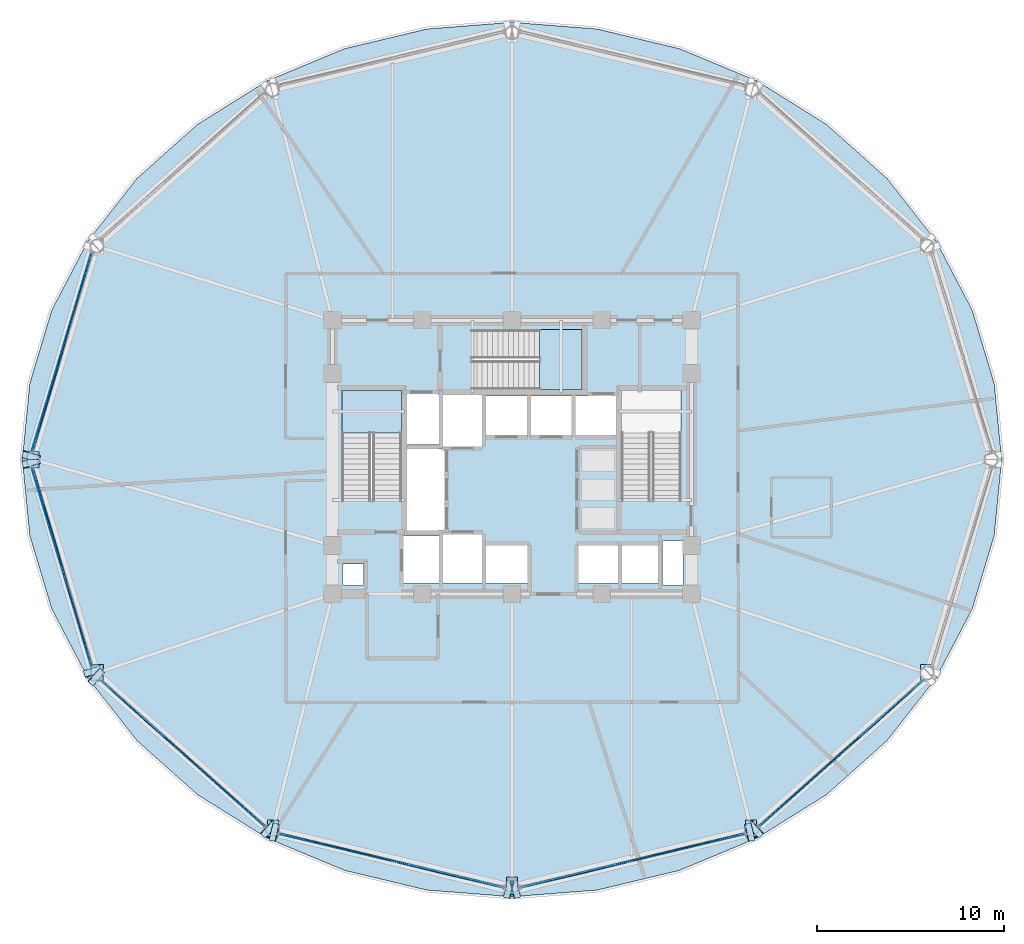
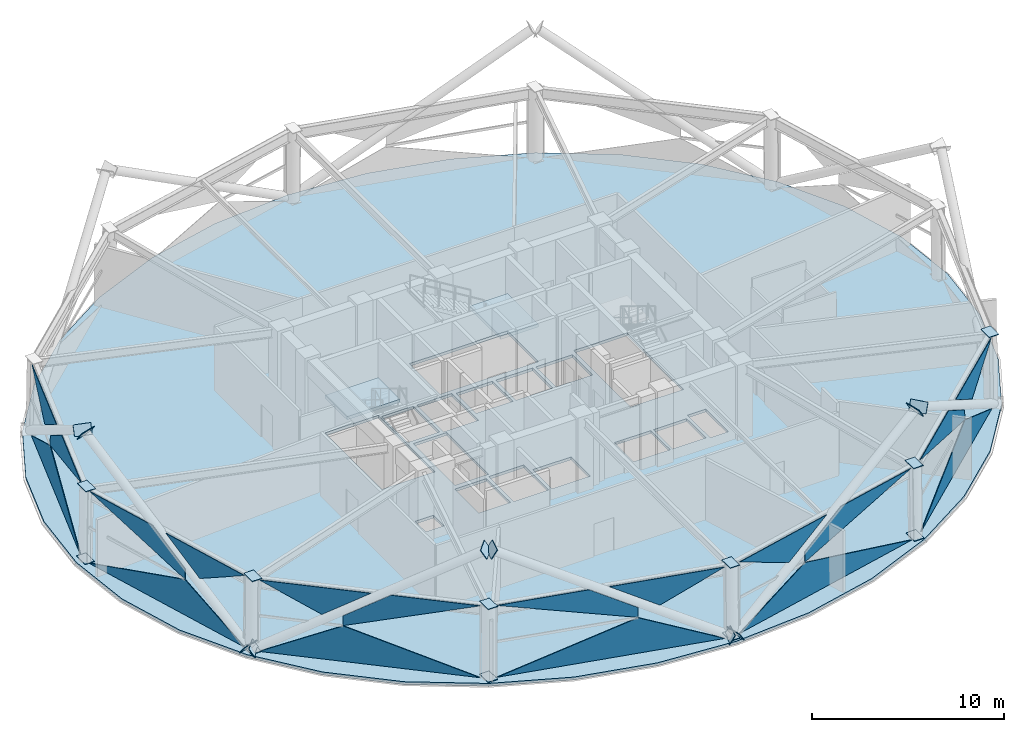
# One storey, part 8 of 17: 39 plates, 3 slabs, 8 elements without a shape of their own.
"""IFC4 building model written with IfcOpenShell, lengths in metres."""

from ifc_helpers import new_model, si_unit, direction, frame, origin, place, context, subcontext, project, spatial, polyline, outline, extrude, material, layer, layer_set, type_object, element, aggregate, save


model = new_model("IFC4")

# Units and contexts
model_context = context("Model", 3, precision=1e-05, world=origin(), true_north=direction((0.0, 1.0)))
body_context = subcontext(model_context, "Body", "Model", "MODEL_VIEW")
ifc_project = project(units=[si_unit("LENGTHUNIT", "METRE"), si_unit("AREAUNIT", "SQUARE_METRE"), si_unit("VOLUMEUNIT", "CUBIC_METRE"), si_unit("PLANEANGLEUNIT", "RADIAN"), si_unit("MASSUNIT", "GRAM", prefix="KILO")], contexts=[model_context])

# Site, building, storey
site_placement = place(None, origin())
site = spatial("IfcSite", under=ifc_project, at=site_placement, CompositionType="ELEMENT")
building_placement = place(site_placement, origin())
building = spatial("IfcBuilding", under=site, at=building_placement, Name="Vantalir Tower", CompositionType="ELEMENT")
storey_placement = place(building_placement, frame((0.0, 0.0, 96.14990234375)))
storey = spatial("IfcBuildingStorey", under=building, at=storey_placement, Name="L23", CompositionType="ELEMENT", Elevation=96.14990234375)

# Curtain wall, plates
ifc_material_1 = material(Name="Champagne-silver PVDF aluminium and double-silver Low-E glass", Category="aluminium")
ifc_layer_1 = layer(ifc_material_1, 0.22998046875)
ifc_layer_set_1 = layer_set([ifc_layer_1], Name="Champagne-silver PVDF aluminium and double-silver Low-E glass")
curtain_wall_type = type_object("IfcCurtainWallType", Name="CW-SKYLOBBY", PredefinedType="USERDEFINED", material=ifc_layer_set_1)
curtain_wall_1_placement = place(storey_placement, origin())
curtain_wall_1 = element("IfcCurtainWall", 1, at=curtain_wall_1_placement, inside=storey, type_object=curtain_wall_type, Name="L23 Quilted Pyramid-Diamond Curtain Wall S06", ObjectType="UNITISED CURTAIN WALL", PredefinedType="USERDEFINED")
ifc_material_2 = material(Name="High-clarity sky-lobby Low-E glass IGU", Category="glass")
ifc_layer_2 = layer(ifc_material_2, 0.035888671875)
ifc_layer_set_2 = layer_set([ifc_layer_2], Name="High-clarity sky-lobby Low-E glass IGU")
plate_type_1 = type_object("IfcPlateType", Name="CWP-IGU-LIGHT-36", PredefinedType="CURTAIN_PANEL", material=ifc_layer_set_2)
plate_1_placement = place(storey_placement, frame((8.990966796875, 36.080322265625, 0.04736328125), z_axis=(-0.957661740651, 0.287884851578, 0.002510522934), x_axis=(-0.287885864149, -0.957664725931, -4.3928567e-05)))
plate_1 = element("IfcPlate", 2, at=plate_1_placement, type_object=plate_type_1, Name="CW-L23-S06 Pyramid Diamond Facet 1L", PredefinedType="CURTAIN_PANEL", context=body_context, shape_type="SweptSolid", body=[
    extrude(outline(polyline([(0.0, 0.0), (11.115346636864656, 8.673617379884035e-19), (4.227546519831492, 2.249948662022099), (0.0, 0.0)])), origin(), (0.0, 0.0, -1.0), 0.035888671875),
])
plate_2_placement = place(storey_placement, frame((7.1416015625, 29.72216796875, 4.572998046875), z_axis=(-0.957385799286, 0.287833288641, 0.023757720345), x_axis=(-0.287913292285, -0.957656479671, 5.5412391e-05)))
plate_2 = element("IfcPlate", 3, at=plate_2_placement, type_object=plate_type_1, Name="CW-L23-S06 Pyramid Diamond Facet 2U", PredefinedType="CURTAIN_PANEL", context=body_context, shape_type="SweptSolid", body=[
    extrude(outline(polyline([(0.0, 0.0), (4.476108125524646, 1.0516761073109393e-17), (-2.393700478316373, -2.250502577205101), (-2.3937687030806383, -1.636311651241797), (0.0, 0.0)])), origin(), (0.0, 0.0, -1.0), 0.035888671875),
])
plate_3_placement = place(storey_placement, frame((9.006591796875, 36.06494140625, 4.573974609375), z_axis=(-0.957402210983, 0.287782636654, 0.023709922919), x_axis=(-0.287863560783, -0.957671431324, 0.0)))
plate_3 = element("IfcPlate", 4, at=plate_3_placement, type_object=plate_type_1, Name="CW-L23-S06 Pyramid Diamond Facet 2U Infill Light", PredefinedType="CURTAIN_PANEL", context=body_context, shape_type="SweptSolid", body=[
    extrude(outline(polyline([(0.0, 0.0), (5.602629816584609, 6.938893903907228e-18), (3.146350286648027, -1.6791829889795271), (0.0, 0.0)])), origin(), (0.0, 0.0, -1.0), 0.035888671875),
])
aggregate(curtain_wall_1, [plate_1, plate_2, plate_3])

curtain_wall_2_placement = place(storey_placement, origin())
curtain_wall_2 = element("IfcCurtainWall", 5, at=curtain_wall_2_placement, inside=storey, type_object=curtain_wall_type, Name="L23 Quilted Pyramid-Diamond Curtain Wall S07", ObjectType="UNITISED CURTAIN WALL", PredefinedType="USERDEFINED")
plate_4_placement = place(storey_placement, frame((5.791015625, 24.564453125, 0.046875), z_axis=(-0.957668909671, -0.287860595933, 0.002556708585), x_axis=(0.287861644047, -0.95767200646, 4.3924871e-05)))
plate_4 = element("IfcPlate", 6, at=plate_4_placement, type_object=plate_type_1, Name="CW-L23-S07 Pyramid Diamond Facet 1L", PredefinedType="CURTAIN_PANEL", context=body_context, shape_type="SweptSolid", body=[
    extrude(outline(polyline([(0.0, 0.0), (11.116281859878669, -7.047314121155779e-19), (6.888033770301667, 2.249948940497448), (0.0, 0.0)])), origin(), (0.0, 0.0, -1.0), 0.035888671875),
])
plate_5_placement = place(storey_placement, frame((5.85302734375, 24.564453125, 4.5732421875), z_axis=(-0.957377717041, -0.28784996904, 0.023881001569), x_axis=(0.287930818268, -0.957651210425, -5.5349984e-05)))
plate_5 = element("IfcPlate", 7, at=plate_5_placement, type_object=plate_type_1, Name="CW-L23-S07 Pyramid Diamond Facet 2U", PredefinedType="CURTAIN_PANEL", context=body_context, shape_type="SweptSolid", body=[
    extrude(outline(polyline([(0.0, 0.0), (4.476646020518688, -2.4936649967166602e-18), (6.870109801967754, -1.636072664647758), (6.870275083922826, -2.2505093428948273), (0.0, 0.0)])), origin(), (0.0, 0.0, -1.0), 0.035888671875),
])
plate_6_placement = place(storey_placement, frame((7.393798828125, 19.300048828125, 4.573974609375), z_axis=(-0.957394077923, -0.287806383561, 0.023750055583), x_axis=(0.287887588691, -0.957664208519, 0.0)))
plate_6 = element("IfcPlate", 8, at=plate_6_placement, type_object=plate_type_1, Name="CW-L23-S07 Pyramid Diamond Facet 2U Infill Light", PredefinedType="CURTAIN_PANEL", context=body_context, shape_type="SweptSolid", body=[
    extrude(outline(polyline([(0.0, 0.0), (5.60216220534434, 0.0), (2.4562785302468586, -1.6789403795375595), (0.0, 0.0)])), origin(), (0.0, 0.0, -1.0), 0.035888671875),
])
aggregate(curtain_wall_2, [plate_4, plate_5, plate_6])

curtain_wall_3_placement = place(storey_placement, origin())
curtain_wall_3 = element("IfcCurtainWall", 9, at=curtain_wall_3_placement, inside=storey, type_object=curtain_wall_type, Name="L23 Quilted Pyramid-Diamond Curtain Wall S08", ObjectType="UNITISED CURTAIN WALL", PredefinedType="USERDEFINED")
plate_7_placement = place(storey_placement, frame((9.461669921875, 13.180419921875, 0.047119140625), z_axis=(-0.66537468334, -0.746506860315, 0.002009545442), x_axis=(0.746508339699, -0.665376057827, -2.0760563e-05)))
plate_7 = element("IfcPlate", 10, at=plate_7_placement, type_object=plate_type_1, Name="CW-L23-S08 Pyramid Diamond Facet 1L", PredefinedType="CURTAIN_PANEL", context=body_context, shape_type="SweptSolid", body=[
    extrude(outline(polyline([(0.0, 0.0), (11.759826551025176, -8.673617379884035e-19), (4.474127863699475, 2.250341570276504), (0.0, 0.0)])), origin(), (0.0, 0.0, -1.0), 0.035888671875),
])
plate_8_placement = place(storey_placement, frame((14.723876953125, 8.565185546875, 4.5732421875), z_axis=(-0.66526600543, -0.746257406905, 0.022825964552), x_axis=(0.746451891483, -0.665439383942, -4.4703e-08)))
plate_8 = element("IfcPlate", 11, at=plate_8_placement, type_object=plate_type_1, Name="CW-L23-S08 Pyramid Diamond Facet 2U", PredefinedType="CURTAIN_PANEL", context=body_context, shape_type="SweptSolid", body=[
    extrude(outline(polyline([(0.0, 0.0), (4.752635306329946, 1.3877787807814457e-17), (-2.5249490507806702, -2.251074903294228), (-2.525009801283773, -1.636901423268096), (0.0, 0.0)])), origin(), (0.0, 0.0, -1.0), 0.035888671875),
])
plate_9_placement = place(storey_placement, frame((9.48876953125, 13.178466796875, 4.573974609375), z_axis=(-0.665236011482, -0.746281037259, 0.022927329851), x_axis=(0.746477260584, -0.665410925242, 0.0)))
plate_9 = element("IfcPlate", 12, at=plate_9_placement, type_object=plate_type_1, Name="CW-L23-S08 Pyramid Diamond Facet 2U Infill Light", PredefinedType="CURTAIN_PANEL", context=body_context, shape_type="SweptSolid", body=[
    extrude(outline(polyline([(0.0, 0.0), (5.929870748389835, 1.3877787807814457e-17), (3.3318112408462497, -1.684280630360344), (0.0, 0.0)])), origin(), (0.0, 0.0, -1.0), 0.035888671875),
])
aggregate(curtain_wall_3, [plate_7, plate_8, plate_9])

curtain_wall_4_placement = place(storey_placement, origin())
curtain_wall_4 = element("IfcCurtainWall", 13, at=curtain_wall_4_placement, inside=storey, type_object=curtain_wall_type, Name="L23 Quilted Pyramid-Diamond Curtain Wall S09", ObjectType="UNITISED CURTAIN WALL", PredefinedType="USERDEFINED")
plate_10_placement = place(storey_placement, frame((19.0224609375, 4.947265625, 0.046875), z_axis=(-0.232308538563, -0.972641461128, 0.001153691634), x_axis=(0.972642113523, -0.23230867098, 1.973065e-05)))
plate_10 = element("IfcPlate", 14, at=plate_10_placement, type_object=plate_type_1, Name="CW-L23-S09 Pyramid Diamond Facet 1L", PredefinedType="CURTAIN_PANEL", context=body_context, shape_type="SweptSolid", body=[
    extrude(outline(polyline([(0.0, 0.0), (12.373673813494106, 3.7947076036992655e-19), (7.666955372737467, 2.2505826460696152), (0.0, 0.0)])), origin(), (0.0, 0.0, -1.0), 0.035888671875),
])
plate_11_placement = place(storey_placement, frame((19.053466796875, 4.994384765625, 4.573486328125), z_axis=(-0.232247229605, -0.972401212076, 0.022295898588), x_axis=(0.972642741477, -0.232306037506, -4.8903136e-05)))
plate_11 = element("IfcPlate", 15, at=plate_11_placement, type_object=plate_type_1, Name="CW-L23-S09 Pyramid Diamond Facet 2U", PredefinedType="CURTAIN_PANEL", context=body_context, shape_type="SweptSolid", body=[
    extrude(outline(polyline([(0.0, 0.0), (5.0076076684749955, 2.3852447794681098e-18), (7.647690227686026, -1.6335770096285902), (7.647752752966947, -2.2509187159464625), (0.0, 0.0)])), origin(), (0.0, 0.0, -1.0), 0.035888671875),
])
plate_12_placement = place(storey_placement, frame((24.96826171875, 3.540771484375, 4.57421875), z_axis=(-0.232244666054, -0.972401391757, 0.022314757428), x_axis=(0.97264338182, -0.232303358298, -3.9055709e-05)))
plate_12 = element("IfcPlate", 16, at=plate_12_placement, type_object=plate_type_1, Name="CW-L23-S09 Pyramid Diamond Facet 2U Infill Light", PredefinedType="CURTAIN_PANEL", context=body_context, shape_type="SweptSolid", body=[
    extrude(outline(polyline([(0.0, 0.0), (6.251086717542948, -4.797594613248357e-18), (2.7292343267499604, -1.6890346906544993), (0.0, 0.0)])), origin(), (0.0, 0.0, -1.0), 0.035888671875),
])
aggregate(curtain_wall_4, [plate_10, plate_11, plate_12])

curtain_wall_5_placement = place(storey_placement, origin())
curtain_wall_5 = element("IfcCurtainWall", 17, at=curtain_wall_5_placement, inside=storey, type_object=curtain_wall_type, Name="L23 Quilted Pyramid-Diamond Curtain Wall S10", ObjectType="UNITISED CURTAIN WALL", PredefinedType="USERDEFINED")
plate_13_placement = place(storey_placement, frame((31.9423828125, 2.07275390625, 0.047119140625), z_axis=(0.232308538563, -0.972641461128, 0.001153691634), x_axis=(0.972642113523, 0.23230867098, -1.973065e-05)))
plate_13 = element("IfcPlate", 18, at=plate_13_placement, type_object=plate_type_1, Name="CW-L23-S10 Pyramid Diamond Facet 1L", PredefinedType="CURTAIN_PANEL", context=body_context, shape_type="SweptSolid", body=[
    extrude(outline(polyline([(0.0, 0.0), (12.373673813494106, -3.7947076036992655e-19), (4.7067184407566405, 2.2505826460696152), (0.0, 0.0)])), origin(), (0.0, 0.0, -1.0), 0.035888671875),
])
plate_14_placement = place(storey_placement, frame((39.075927734375, 3.8310546875, 4.5732421875), z_axis=(0.232247229605, -0.972401212076, 0.022295898588), x_axis=(0.972642741477, 0.232306037506, 4.8903136e-05)))
plate_14 = element("IfcPlate", 19, at=plate_14_placement, type_object=plate_type_1, Name="CW-L23-S10 Pyramid Diamond Facet 2U", PredefinedType="CURTAIN_PANEL", context=body_context, shape_type="SweptSolid", body=[
    extrude(outline(polyline([(0.0, 0.0), (5.0076076684749955, -2.3852447794681098e-18), (-2.6401450844919516, -2.2509187159464625), (-2.640082559211031, -1.6335770096285902), (0.0, 0.0)])), origin(), (0.0, 0.0, -1.0), 0.035888671875),
])
plate_15_placement = place(storey_placement, frame((31.95166015625, 2.088623046875, 4.573974609375), z_axis=(0.232244666054, -0.972401391757, 0.022314757428), x_axis=(0.97264338182, 0.232303358298, 3.9055709e-05)))
plate_15 = element("IfcPlate", 20, at=plate_15_placement, type_object=plate_type_1, Name="CW-L23-S10 Pyramid Diamond Facet 2U Infill Light", PredefinedType="CURTAIN_PANEL", context=body_context, shape_type="SweptSolid", body=[
    extrude(outline(polyline([(0.0, 0.0), (6.251086717542948, 4.797594613248357e-18), (3.521852390792987, -1.6890346906544993), (0.0, 0.0)])), origin(), (0.0, 0.0, -1.0), 0.035888671875),
])
aggregate(curtain_wall_5, [plate_13, plate_14, plate_15])

curtain_wall_6_placement = place(storey_placement, origin())
curtain_wall_6 = element("IfcCurtainWall", 21, at=curtain_wall_6_placement, inside=storey, type_object=curtain_wall_type, Name="L23 Quilted Pyramid-Diamond Curtain Wall S11", ObjectType="UNITISED CURTAIN WALL", PredefinedType="USERDEFINED")
plate_16_placement = place(storey_placement, frame((44.759521484375, 5.355712890625, 0.046875), z_axis=(0.66537468334, -0.746506860315, 0.002009545442), x_axis=(0.746508339699, 0.665376057827, 2.0760563e-05)))
plate_16 = element("IfcPlate", 22, at=plate_16_placement, type_object=plate_type_1, Name="CW-L23-S11 Pyramid Diamond Facet 1L", PredefinedType="CURTAIN_PANEL", context=body_context, shape_type="SweptSolid", body=[
    extrude(outline(polyline([(0.0, 0.0), (11.759826551025176, 8.673617379884035e-19), (7.285698687325702, 2.250341570276504), (0.0, 0.0)])), origin(), (0.0, 0.0, -1.0), 0.035888671875),
])
plate_17_placement = place(storey_placement, frame((44.728515625, 5.402587890625, 4.5732421875), z_axis=(0.66526600543, -0.746257406905, 0.022825964552), x_axis=(0.746451891483, 0.665439383942, 4.4703e-08)))
plate_17 = element("IfcPlate", 23, at=plate_17_placement, type_object=plate_type_1, Name="CW-L23-S11 Pyramid Diamond Facet 2U", PredefinedType="CURTAIN_PANEL", context=body_context, shape_type="SweptSolid", body=[
    extrude(outline(polyline([(0.0, 0.0), (4.752635306329946, -1.3877787807814457e-17), (7.27764510761372, -1.636901423268096), (7.277584357110616, -2.2510749032942283), (0.0, 0.0)])), origin(), (0.0, 0.0, -1.0), 0.035888671875),
])
plate_18_placement = place(storey_placement, frame((49.084716796875, 9.232666015625, 4.573974609375), z_axis=(0.665236011482, -0.746281037259, 0.022927329851), x_axis=(0.746477260584, 0.665410925242, 0.0)))
plate_18 = element("IfcPlate", 24, at=plate_18_placement, type_object=plate_type_1, Name="CW-L23-S11 Pyramid Diamond Facet 2U Infill Light", PredefinedType="CURTAIN_PANEL", context=body_context, shape_type="SweptSolid", body=[
    extrude(outline(polyline([(0.0, 0.0), (5.929870748389835, -1.3877787807814457e-17), (2.598059507543584, -1.684280630360344), (0.0, 0.0)])), origin(), (0.0, 0.0, -1.0), 0.035888671875),
])
aggregate(curtain_wall_6, [plate_16, plate_17, plate_18])

# Plates
ifc_material_3 = material(Name="Steel S460", Category="steel")
ifc_layer_3 = layer(ifc_material_3, 0.0400390625)
ifc_layer_set_3 = layer_set([ifc_layer_3], Name="Steel S460")
plate_type_2 = type_object("IfcPlateType", Name="PLT-KN-Z1", PredefinedType="USERDEFINED", material=ifc_layer_set_3)
plate_19_placement = place(storey_placement, frame((5.2607421875, 25.115478515625, 7.927978515625), z_axis=(-0.233780711725, -0.791714715206, 0.564388508521), x_axis=(0.959062134253, -0.283195732033, 0.0)))
element("IfcPlate", 25, at=plate_19_placement, inside=storey, type_object=plate_type_2, Name="Node Cap Plate MEM-DG-L23-R16L End", ObjectType="FLANGE_PLATE", PredefinedType="USERDEFINED", context=body_context, shape_type="SweptSolid", body=[
    extrude(outline(polyline([(0.0, 0.0), (0.9500248002278538, 0.0), (0.950021161302432, 0.620178219642171), (-3.6389254218841277e-06, 0.6201782196421711), (0.0, 0.0)])), origin(), (0.0, 0.0, -1.0), 0.0400390625),
])
plate_20_placement = place(storey_placement, frame((9.077392578125, 12.888671875, -0.055908203125), z_axis=(0.628764927611, -0.555452144556, 0.54417605691), x_axis=(0.662063543191, 0.7494477065, 0.0)))
element("IfcPlate", 26, at=plate_20_placement, inside=storey, type_object=plate_type_2, Name="Node Cap Plate MEM-DG-L23-R22L Start", ObjectType="FLANGE_PLATE", PredefinedType="USERDEFINED", context=body_context, shape_type="SweptSolid", body=[
    extrude(outline(polyline([(0.0, 0.0), (0.9499182615753402, 5.551115123125783e-17), (0.9498808642857806, 0.6201211272124378), (-3.7397289559648605e-05, 0.6201211272124378), (0.0, 0.0)])), origin(), (0.0, 0.0, -1.0), 0.0400390625),
])
plate_21_placement = place(storey_placement, frame((18.3046875, 4.73681640625, 7.927734375), z_axis=(0.628865880657, -0.555541326671, 0.54396832491), x_axis=(0.662063543191, 0.7494477065, 0.0)))
element("IfcPlate", 27, at=plate_21_placement, inside=storey, type_object=plate_type_2, Name="Node Cap Plate MEM-DG-L23-R22L End", ObjectType="FLANGE_PLATE", PredefinedType="USERDEFINED", context=body_context, shape_type="SweptSolid", body=[
    extrude(outline(polyline([(0.0, 0.0), (0.9499182615753402, 0.0), (0.9500425008930048, 0.6200215779785763), (0.00012423931766461505, 0.6200215779785763), (0.0, 0.0)])), origin(), (0.0, 0.0, -1.0), 0.0400390625),
])
plate_22_placement = place(storey_placement, frame((9.474853515625, 13.9658203125, -0.047119140625), z_axis=(-0.233687243156, 0.791757413944, 0.564367318199), x_axis=(-0.959085913216, -0.283115184639, 5.7415495e-05)))
element("IfcPlate", 28, at=plate_22_placement, inside=storey, type_object=plate_type_2, Name="Node Cap Plate MEM-DG-L23-R22R Start", ObjectType="FLANGE_PLATE", PredefinedType="USERDEFINED", context=body_context, shape_type="SweptSolid", body=[
    extrude(outline(polyline([(0.0, 0.0), (0.9500247953115416, 2.7755575615628914e-17), (0.9501934505163152, 0.619805511055699), (0.00023777512289838902, 0.6199376554227634), (0.0, 0.0)])), origin(), (0.0, 0.0, -1.0), 0.0400390625),
])
plate_23_placement = place(storey_placement, frame((6.171875, 25.153564453125, 7.927978515625), z_axis=(-0.233780711725, 0.791714715206, 0.564388508521), x_axis=(-0.959062134253, -0.283195732033, 0.0)))
element("IfcPlate", 29, at=plate_23_placement, inside=storey, type_object=plate_type_2, Name="Node Cap Plate MEM-DG-L23-R22R End", ObjectType="FLANGE_PLATE", PredefinedType="USERDEFINED", context=body_context, shape_type="SweptSolid", body=[
    extrude(outline(polyline([(0.0, 0.0), (0.9500248002278538, 0.0), (0.9500284391532758, 0.620178219642171), (3.6389254218841277e-06, 0.6201782196421711), (0.0, 0.0)])), origin(), (0.0, 0.0, -1.0), 0.0400390625),
])
plate_24_placement = place(storey_placement, frame((31.959228515625, 1.58984375, -0.0634765625), z_axis=(0.826206904437, 0.200924953354, 0.526318643201), x_axis=(-0.236336001749, 0.97167139052, 5.5874131e-05)))
element("IfcPlate", 30, at=plate_24_placement, inside=storey, type_object=plate_type_2, Name="Node Cap Plate MEM-DG-L23-R28L Start", ObjectType="FLANGE_PLATE", PredefinedType="USERDEFINED", context=body_context, shape_type="SweptSolid", body=[
    extrude(outline(polyline([(0.0, 0.0), (0.9500289670814939, 2.7755575615628914e-17), (0.9499890752638844, 0.6198451514571769), (1.7807401567529792e-05, 0.6199700043725549), (0.0, 0.0)])), origin(), (0.0, 0.0, -1.0), 0.0400390625),
])
plate_25_placement = place(storey_placement, frame((44.50439453125, 4.63916015625, 7.927490234375), z_axis=(0.826295211155, 0.200837159231, 0.526213511319), x_axis=(-0.236181070695, 0.971709062346, 0.0)))
element("IfcPlate", 31, at=plate_25_placement, inside=storey, type_object=plate_type_2, Name="Node Cap Plate MEM-DG-L23-R28L End", ObjectType="FLANGE_PLATE", PredefinedType="USERDEFINED", context=body_context, shape_type="SweptSolid", body=[
    extrude(outline(polyline([(0.0, 0.0), (0.9499712814206474, -1.3877787807814457e-17), (0.9501448302959379, 0.6201472475318481), (0.0001735488752904052, 0.6201472475318481), (0.0, 0.0)])), origin(), (0.0, 0.0, -1.0), 0.0400390625),
])
plate_26_placement = place(storey_placement, frame((31.265380859375, 2.512939453125, -0.0634765625), z_axis=(-0.826206904437, 0.200924953354, 0.526318643201), x_axis=(-0.236336001749, -0.97167139052, -5.5874131e-05)))
element("IfcPlate", 32, at=plate_26_placement, inside=storey, type_object=plate_type_2, Name="Node Cap Plate MEM-DG-L23-R28R Start", ObjectType="FLANGE_PLATE", PredefinedType="USERDEFINED", context=body_context, shape_type="SweptSolid", body=[
    extrude(outline(polyline([(0.0, 0.0), (0.9500289670814939, -2.7755575615628914e-17), (0.9500111596799263, 0.6199700043725549), (3.9891817609488354e-05, 0.6198451514571768), (0.0, 0.0)])), origin(), (0.0, 0.0, -1.0), 0.0400390625),
])
plate_27_placement = place(storey_placement, frame((18.719970703125, 5.562255859375, 7.927490234375), z_axis=(-0.826295211155, 0.200837159231, 0.526213511319), x_axis=(-0.236181070695, -0.971709062346, 0.0)))
element("IfcPlate", 33, at=plate_27_placement, inside=storey, type_object=plate_type_2, Name="Node Cap Plate MEM-DG-L23-R28R End", ObjectType="FLANGE_PLATE", PredefinedType="USERDEFINED", context=body_context, shape_type="SweptSolid", body=[
    extrude(outline(polyline([(0.0, 0.0), (0.9499712814206474, 1.3877787807814457e-17), (0.949797732545357, 0.6201472475318481), (-0.0001735488752904052, 0.6201472475318481), (0.0, 0.0)])), origin(), (0.0, 0.0, -1.0), 0.0400390625),
])
plate_28_placement = place(storey_placement, frame((44.06640625, 5.44873046875, 7.927734375), z_axis=(-0.628865880657, -0.555541326671, 0.54396832491), x_axis=(0.662063543191, -0.7494477065, 0.0)))
element("IfcPlate", 34, at=plate_28_placement, inside=storey, type_object=plate_type_2, Name="Node Cap Plate MEM-DG-L23-R34R End", ObjectType="FLANGE_PLATE", PredefinedType="USERDEFINED", context=body_context, shape_type="SweptSolid", body=[
    extrude(outline(polyline([(0.0, 0.0), (0.9499182615753402, 0.0), (0.9497940222576757, 0.6200215779785763), (-0.00012423931766461505, 0.6200215779785763), (0.0, 0.0)])), origin(), (0.0, 0.0, -1.0), 0.0400390625),
])
ifc_layer_4 = layer(ifc_material_3, 0.035888671875)
ifc_layer_set_4 = layer_set([ifc_layer_4], Name="Steel S460")
plate_type_3 = type_object("IfcPlateType", Name="PLT-KN-Z2", PredefinedType="USERDEFINED", material=ifc_layer_set_4)
plate_29_placement = place(storey_placement, frame((5.622314453125, 25.43994140625, 4.652099609375), z_axis=(0.01346679217, 0.0, 0.999909318643), x_axis=(0.0, -1.0, 0.0)))
element("IfcPlate", 35, at=plate_29_placement, inside=storey, type_object=plate_type_3, Name="L23 Ring Column Top Cap RC07", ObjectType="FLANGE_PLATE", PredefinedType="USERDEFINED", context=body_context, shape_type="SweptSolid", body=[
    extrude(outline(polyline([(0.0, 0.0), (0.8798828125, 0.0), (0.8798828125, 0.5801307320421542), (0.0, 0.5801307320421542), (0.0, 0.0)])), origin(), (0.0, 0.0, -1.0), 0.035888671875),
])
plate_30_placement = place(storey_placement, frame((5.560791015625, 25.43994140625, 0.056884765625), z_axis=(0.013051519825, 0.0, 0.999914825288), x_axis=(0.0, -1.0, 0.0)))
element("IfcPlate", 36, at=plate_30_placement, inside=storey, type_object=plate_type_3, Name="L23 Ring Column Base Cap RC07", ObjectType="FLANGE_PLATE", PredefinedType="USERDEFINED", context=body_context, shape_type="SweptSolid", body=[
    extrude(outline(polyline([(0.0, 0.0), (0.8798828125, 0.0), (0.8798828125, 0.5798833757746612), (0.0, 0.5798833757746612), (0.0, 0.0)])), origin(), (0.0, 0.0, -1.0), 0.035888671875),
])
plate_31_placement = place(storey_placement, frame((9.05029296875, 14.046142578125, 4.64892578125), z_axis=(0.011573093021, 0.005965088123, 0.999915237028), x_axis=(1.605427e-06, -0.99998220643, 0.005965469054)))
element("IfcPlate", 37, at=plate_31_placement, inside=storey, type_object=plate_type_3, Name="L23 Ring Column Top Cap RC08", ObjectType="FLANGE_PLATE", PredefinedType="USERDEFINED", context=body_context, shape_type="SweptSolid", body=[
    extrude(outline(polyline([(0.0, 0.0), (0.8798977409236944, -6.776263578034403e-21), (0.8798593490363406, 0.5801155630708288), (-3.984830069718049e-05, 0.5801183884850551), (0.0, 0.0)])), origin(), (0.0, 0.0, -1.0), 0.035888671875),
])
plate_32_placement = place(storey_placement, frame((8.99658203125, 14.018310546875, 0.0537109375), z_axis=(0.011362691055, 0.006103820722, 0.999916812852), x_axis=(0.0, -0.999981369107, 0.006104214795)))
element("IfcPlate", 38, at=plate_32_placement, inside=storey, type_object=plate_type_3, Name="L23 Ring Column Base Cap RC08", ObjectType="FLANGE_PLATE", PredefinedType="USERDEFINED", context=body_context, shape_type="SweptSolid", body=[
    extrude(outline(polyline([(0.0, 0.0), (0.8798992058076774, 1.3552527156068805e-20), (0.8798589680636689, 0.5801155757868262), (-4.0237744008511654e-05, 0.5801155757868262), (0.0, 0.0)])), origin(), (0.0, 0.0, -1.0), 0.035888671875),
])
plate_33_placement = place(storey_placement, frame((18.416259765625, 5.705322265625, 4.6455078125), z_axis=(0.00673849514, 0.010264172791, 0.999924616879), x_axis=(-9.595e-09, -0.999947319598, 0.010264405898)))
element("IfcPlate", 39, at=plate_33_placement, inside=storey, type_object=plate_type_3, Name="L23 Ring Column Top Cap RC09", ObjectType="FLANGE_PLATE", PredefinedType="USERDEFINED", context=body_context, shape_type="SweptSolid", body=[
    extrude(outline(polyline([(0.0, 0.0), (0.8799291803833067, -2.0328790734103208e-20), (0.8801332072477813, 0.5798471576211818), (-4.010089909911382e-05, 0.5798471407324505), (0.0, 0.0)])), origin(), (0.0, 0.0, -1.0), 0.035888671875),
])
plate_34_placement = place(storey_placement, frame((18.38525390625, 5.657470703125, 0.050537109375), z_axis=(0.006733499232, 0.010265596984, 0.999924635913), x_axis=(0.0, -0.999947304982, 0.010265829713)))
element("IfcPlate", 40, at=plate_34_placement, inside=storey, type_object=plate_type_3, Name="L23 Ring Column Base Cap RC09", ObjectType="FLANGE_PLATE", PredefinedType="USERDEFINED", context=body_context, shape_type="SweptSolid", body=[
    extrude(outline(polyline([(0.0, 0.0), (0.8799291803841988, -1.3552527156068805e-20), (0.8798890794868838, 0.5800912758217419), (-4.010089731496862e-05, 0.5800912758217419), (0.0, 0.0)])), origin(), (0.0, 0.0, -1.0), 0.035888671875),
])
for number, where, z_axis, x_axis, name in (
    (41, (31.2099609375, 2.65234375, 4.642822265625), (0.0, 0.011930338438, 0.99992883098), (0.0, -0.99992883098, 0.011930338438), "L23 Ring Column Top Cap RC10"),
    (42, (31.2099609375, 2.59765625, 0.0478515625), (0.0, 0.011930338438, 0.99992883098), (0.0, -0.99992883098, 0.011930338438), "L23 Ring Column Base Cap RC10"),
):
    element("IfcPlate", number, at=place(storey_placement, frame(where, z_axis=z_axis, x_axis=x_axis)), inside=storey, type_object=plate_type_3, Name=name, ObjectType="FLANGE_PLATE", PredefinedType="USERDEFINED", context=body_context, shape_type="SweptSolid", body=[
        extrude(outline(polyline([(0.0, 0.0), (0.8799454373545555, 0.0), (0.8799454373545555, 0.580078125), (0.0, 0.580078125), (0.0, 0.0)])), origin(), (0.0, 0.0, -1.0), 0.035888671875),
    ])
plate_35_placement = place(storey_placement, frame((44.00390625, 5.705322265625, 4.6416015625), z_axis=(-0.00673849514, 0.010264172791, 0.999924616879), x_axis=(-9.592e-09, -0.999947319599, 0.010264405768)))
element("IfcPlate", 43, at=plate_35_placement, inside=storey, type_object=plate_type_3, Name="L23 Ring Column Top Cap RC11", ObjectType="FLANGE_PLATE", PredefinedType="USERDEFINED", context=body_context, shape_type="SweptSolid", body=[
    extrude(outline(polyline([(0.0, 0.0), (0.8801733081468806, 6.776263578034403e-21), (0.8799692701563211, 0.5798471576172668), (4.0089773014631325e-05, 0.5798471407332197), (0.0, 0.0)])), origin(), (0.0, 0.0, -1.0), 0.035888671875),
])
plate_36_placement = place(storey_placement, frame((44.03466796875, 5.657470703125, 0.046630859375), z_axis=(-0.006733499232, 0.010265596984, 0.999924635913), x_axis=(0.0, -0.999947304982, 0.010265829713)))
element("IfcPlate", 44, at=plate_36_placement, inside=storey, type_object=plate_type_3, Name="L23 Ring Column Base Cap RC11", ObjectType="FLANGE_PLATE", PredefinedType="USERDEFINED", context=body_context, shape_type="SweptSolid", body=[
    extrude(outline(polyline([(0.0, 0.0), (0.8799291803841988, 1.3552527156068805e-20), (0.8799692812815137, 0.5800912758217419), (4.010089731496862e-05, 0.5800912758217419), (0.0, 0.0)])), origin(), (0.0, 0.0, -1.0), 0.035888671875),
])
plate_37_placement = place(storey_placement, frame((53.36962890625, 14.046142578125, 4.64208984375), z_axis=(-0.011573093021, 0.005965088123, 0.999915237028), x_axis=(1.605424e-06, -0.999982206208, 0.005965506215)))
element("IfcPlate", 45, at=plate_37_placement, inside=storey, type_object=plate_type_3, Name="L23 Ring Column Top Cap RC12", ObjectType="FLANGE_PLATE", PredefinedType="USERDEFINED", context=body_context, shape_type="SweptSolid", body=[
    extrude(outline(polyline([(0.0, 0.0), (0.879899197341574, -1.3552527156068805e-20), (0.8799394520181764, 0.580115562944559), (4.171109901834095e-05, 0.5801183883541087), (0.0, 0.0)])), origin(), (0.0, 0.0, -1.0), 0.035888671875),
])

# Stair, slab
ifc_material_4 = material(Name="Concrete C40/50", Category="concrete")
stair_type = type_object("IfcStairType", Name="STR-CORE-1450", PredefinedType="HALF_TURN_STAIR", material=ifc_material_4)
stair_1_placement = place(storey_placement, origin())
stair_1 = element("IfcStair", 46, at=stair_1_placement, inside=storey, type_object=stair_type, Name="L23 Core Exit Stair 1", PredefinedType="HALF_TURN_STAIR")
ifc_layer_5 = layer(ifc_material_4, 0.199951171875)
ifc_layer_set_5 = layer_set([ifc_layer_5], Name="Concrete C40/50")
slab_type_1 = type_object("IfcSlabType", Name="SL-LAND-200", PredefinedType="LANDING", material=ifc_layer_set_5)
slab_1_placement = place(storey_placement, frame((0.0, 0.0, 2.2001953125)))
slab_1 = element("IfcSlab", 47, at=slab_1_placement, type_object=slab_type_1, Name="ST1 landing 1", PredefinedType="LANDING", context=body_context, shape_type="SweptSolid", body=[
    extrude(outline(polyline([(25.60009765625, 26.429931640625), (25.60009765625, 28.699951171875), (22.39990234375, 28.699951171875), (22.39990234375, 26.429931640625), (25.60009765625, 26.429931640625)])), origin(), (0.0, 0.0, 1.0), 0.199951171875),
])
aggregate(stair_1, [slab_1])

stair_2_placement = place(storey_placement, origin())
stair_2 = element("IfcStair", 48, at=stair_2_placement, inside=storey, type_object=stair_type, Name="L23 Core Exit Stair 3", PredefinedType="HALF_TURN_STAIR")
slab_2_placement = place(storey_placement, frame((0.0, 0.0, 2.2001953125)))
slab_2 = element("IfcSlab", 49, at=slab_2_placement, type_object=slab_type_1, Name="ST3 landing 1", PredefinedType="LANDING", context=body_context, shape_type="SweptSolid", body=[
    extrude(outline(polyline([(32.97998046875, 28.75), (35.25, 28.75), (35.25, 31.949951171875), (32.97998046875, 31.949951171875), (32.97998046875, 28.75)])), origin(), (0.0, 0.0, 1.0), 0.199951171875),
])
aggregate(stair_2, [slab_2])

# Slab
ifc_layer_6 = layer(ifc_material_4, 0.179931640625)
ifc_layer_set_6 = layer_set([ifc_layer_6], Name="Concrete C40/50")
slab_type_2 = type_object("IfcSlabType", Name="SL-TWR-180", PredefinedType="FLOOR", material=ifc_layer_set_6)
slab_3_placement = place(storey_placement, frame((0.0, 0.0, -0.179931640625)))
element("IfcSlab", 50, at=slab_3_placement, inside=storey, type_object=slab_type_2, Name="L23 Primary Structural Slab", PredefinedType="FLOOR", context=body_context, shape_type="SweptSolid", body=[
    extrude(outline(polyline([(8.81005859375, 13.302978515625), (11.429931640625, 9.962890625), (14.658935546875, 7.080078125), (18.39990234375, 4.740966796875), (22.5390625, 3.01806640625), (26.949951171875, 1.9619140625), (31.5, 1.60693359375), (36.050048828125, 1.9619140625), (40.4609375, 3.01806640625), (44.60009765625, 4.740966796875), (48.341064453125, 7.080078125), (51.570068359375, 9.962890625), (54.18994140625, 13.302978515625), (56.1201171875, 16.9990234375), (57.302001953125, 20.93798828125), (57.699951171875, 25.0), (57.302001953125, 29.06201171875), (56.1201171875, 33.0009765625), (54.18994140625, 36.696044921875), (51.570068359375, 40.037109375), (48.341064453125, 42.919921875), (44.60009765625, 45.259033203125), (40.4609375, 46.98193359375), (36.050048828125, 48.0380859375), (31.5, 48.39306640625), (26.949951171875, 48.0380859375), (22.5390625, 46.98193359375), (18.39990234375, 45.259033203125), (14.658935546875, 42.919921875), (11.429931640625, 40.037109375), (8.81005859375, 36.696044921875), (6.8798828125, 33.0009765625), (5.697998046875, 29.06201171875), (5.300048828125, 25.0), (5.697998046875, 20.93798828125), (6.8798828125, 16.9990234375), (8.81005859375, 13.302978515625)]), holes=[polyline([(22.39990234375, 22.7900390625), (22.39990234375, 28.699951171875), (25.60009765625, 28.699951171875), (25.60009765625, 22.7900390625), (22.39990234375, 22.7900390625)]), polyline([(37.35009765625, 28.699951171875), (40.550048828125, 28.699951171875), (40.550048828125, 22.7900390625), (37.35009765625, 22.7900390625), (37.35009765625, 28.699951171875)]), polyline([(35.25, 28.75), (29.340087890625, 28.75), (29.340087890625, 31.949951171875), (35.25, 31.949951171875), (35.25, 28.75)]), polyline([(27.60009765625, 18.39990234375), (25.699951171875, 18.39990234375), (25.699951171875, 20.89990234375), (27.60009765625, 20.89990234375), (27.60009765625, 18.39990234375)]), polyline([(25.699951171875, 25.800048828125), (25.699951171875, 28.5), (27.60009765625, 28.5), (27.60009765625, 25.800048828125), (25.699951171875, 25.800048828125)]), polyline([(27.800048828125, 21.0), (29.89990234375, 21.0), (29.89990234375, 18.39990234375), (27.800048828125, 18.39990234375), (27.800048828125, 21.0)]), polyline([(29.89990234375, 28.5), (29.89990234375, 25.699951171875), (27.800048828125, 25.699951171875), (27.800048828125, 28.5), (29.89990234375, 28.5)]), polyline([(32.39990234375, 18.39990234375), (30.10009765625, 18.39990234375), (30.10009765625, 20.39990234375), (32.39990234375, 20.39990234375), (32.39990234375, 18.39990234375)]), polyline([(37.35009765625, 18.39990234375), (37.35009765625, 20.39990234375), (39.35009765625, 20.39990234375), (39.35009765625, 18.39990234375), (37.35009765625, 18.39990234375)]), polyline([(35.0, 20.39990234375), (37.199951171875, 20.39990234375), (37.199951171875, 18.39990234375), (35.0, 18.39990234375), (35.0, 20.39990234375)]), polyline([(32.300048828125, 28.39990234375), (32.300048828125, 26.300048828125), (30.10009765625, 26.300048828125), (30.10009765625, 28.39990234375), (32.300048828125, 28.39990234375)]), polyline([(34.699951171875, 26.300048828125), (32.5, 26.300048828125), (32.5, 28.39990234375), (34.699951171875, 28.39990234375), (34.699951171875, 26.300048828125)]), polyline([(34.89990234375, 26.300048828125), (34.89990234375, 28.39990234375), (37.10009765625, 28.39990234375), (37.10009765625, 26.300048828125), (34.89990234375, 26.300048828125)]), polyline([(25.889892578125, 25.56005859375), (27.89990234375, 25.56005859375), (27.89990234375, 21.199951171875), (25.889892578125, 21.199951171875), (25.889892578125, 25.56005859375)]), polyline([(23.550048828125, 19.39990234375), (23.550048828125, 18.300048828125), (22.449951171875, 18.300048828125), (22.449951171875, 19.39990234375), (23.550048828125, 19.39990234375)]), polyline([(40.64990234375, 18.300048828125), (39.550048828125, 18.300048828125), (39.550048828125, 20.64990234375), (40.64990234375, 20.64990234375), (40.64990234375, 18.300048828125)])]), origin(), (0.0, 0.0, 1.0), 0.179931640625),
])

save(model, "model.ifc")
